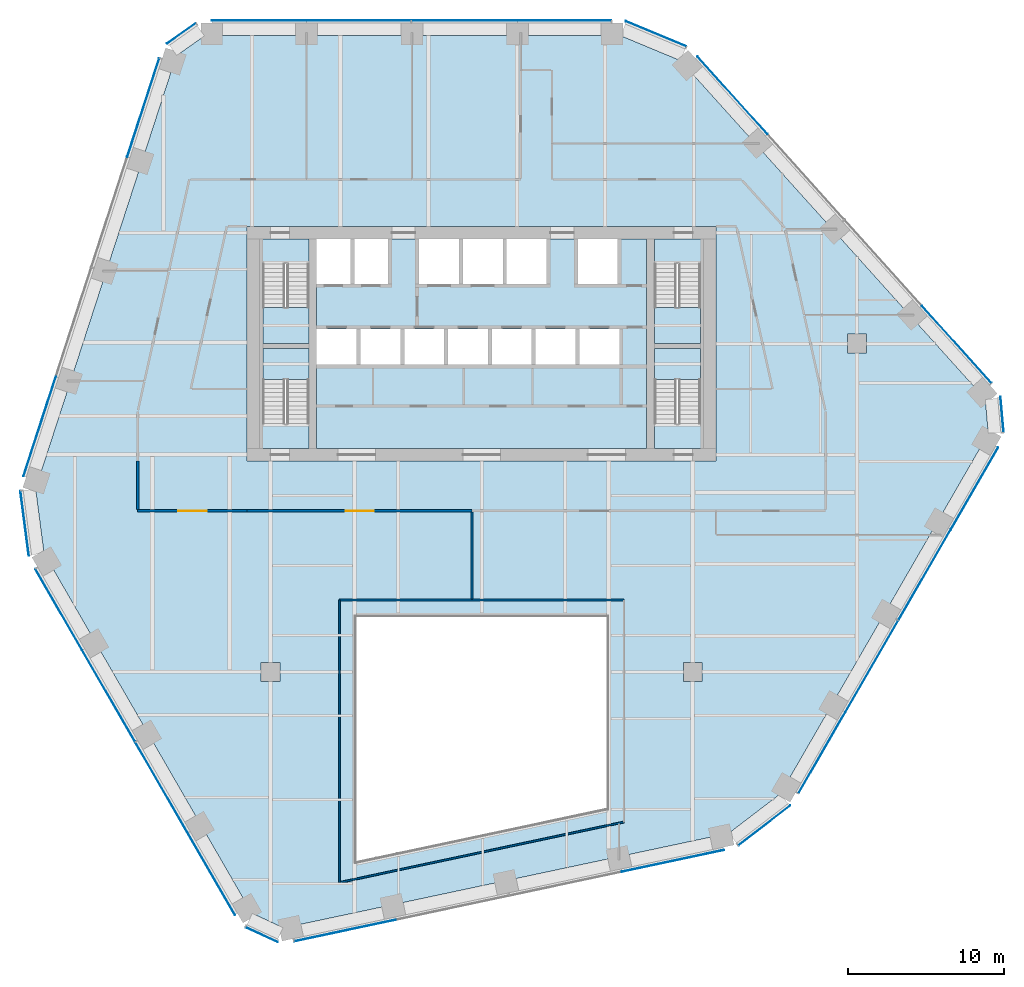
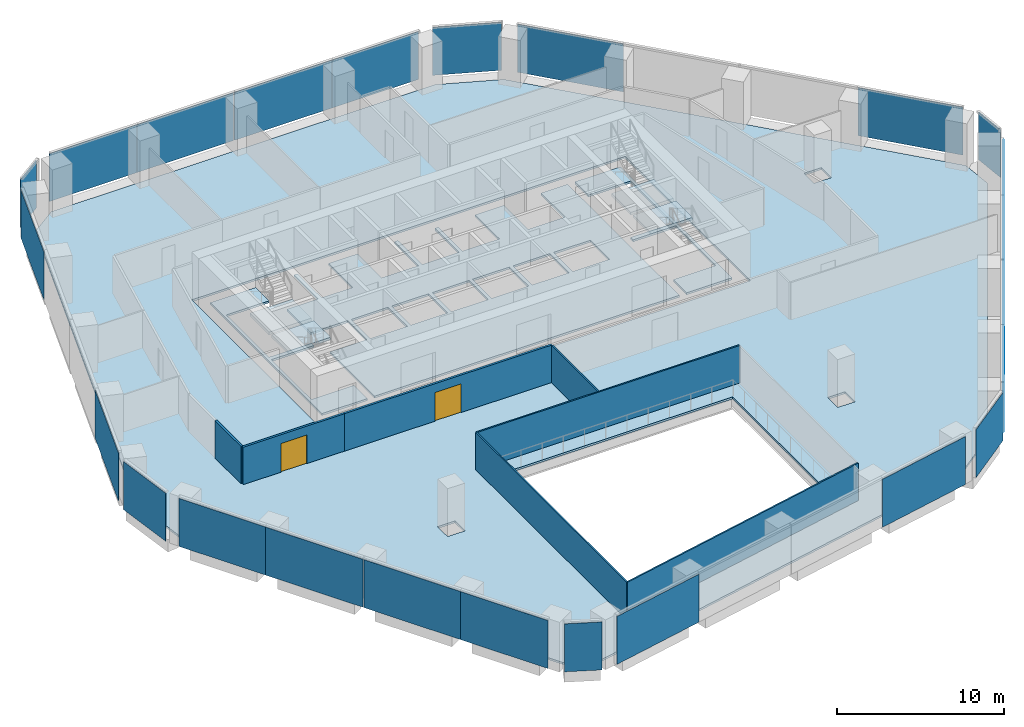
# One storey, part 10 of 16: 24 plates, 8 slabs, 7 walls, 2 doors, 2 openings, 16 elements without a shape of their own.
"""IFC4 building model written with IfcOpenShell, lengths in metres."""

from ifc_helpers import new_model, si_unit, direction, frame, frame_2d, origin, origin_2d, place, context, subcontext, project, spatial, polyline, rectangle, outline, extrude, material, layer, layer_set, type_object, element, fill, aggregate, save


model = new_model("IFC4")

# Units and contexts
model_context = context("Model", 3, precision=1e-05, world=origin(), true_north=direction((0.0, 1.0)))
body_context = subcontext(model_context, "Body", "Model", "MODEL_VIEW")
ifc_project = project(units=[si_unit("LENGTHUNIT", "METRE"), si_unit("AREAUNIT", "SQUARE_METRE"), si_unit("VOLUMEUNIT", "CUBIC_METRE"), si_unit("PLANEANGLEUNIT", "RADIAN"), si_unit("MASSUNIT", "GRAM", prefix="KILO")], contexts=[model_context])

# Site, building, storey
site_placement = place(None, origin())
site = spatial("IfcSite", under=ifc_project, at=site_placement, CompositionType="ELEMENT")
building_placement = place(site_placement, origin())
building = spatial("IfcBuilding", under=site, at=building_placement, Name="Isthmus Gate Tower", CompositionType="ELEMENT")
storey_placement = place(building_placement, frame((0.0, 0.0, 140.75)))
storey = spatial("IfcBuildingStorey", under=building, at=storey_placement, Name="L34", CompositionType="ELEMENT", Elevation=140.75)

# Slabs
ifc_material_1 = material(Name="Concrete f'c 40 MPa", Category="concrete")
ifc_layer_1 = layer(ifc_material_1, 0.14990234375)
ifc_layer_set_1 = layer_set([ifc_layer_1], Name="COMPOSITE FLOOR SLAB 150")
slab_type_1 = type_object("IfcSlabType", Name="COMPOSITE FLOOR SLAB 150", PredefinedType="FLOOR", material=ifc_layer_set_1)
slab_1_placement = place(storey_placement, frame((0.0, 0.0, -0.14990234375)))
element("IfcSlab", 1, at=slab_1_placement, inside=storey, type_object=slab_type_1, Name="str-slab-L34-1", PredefinedType="FLOOR", context=body_context, shape_type="SweptSolid", body=[
    extrude(outline(polyline([(12.72802734375, 25.599365234375), (32.21044921875, 3.9619140625), (32.410400390625, 1.736083984375), (19.116455078125, -21.289306640625), (15.8056640625, -23.822509765625), (-12.674072265625, -29.876220703125), (-14.701416015625, -28.936279296875), (-27.995361328125, -5.91064453125), (-28.53369140625, -1.77685546875), (-19.536376953125, 25.9140625), (-17.708740234375, 27.199951171875), (8.87890625, 27.199951171875), (12.72802734375, 25.599365234375)]), holes=[polyline([(-8.0, -10.0), (-8.0, -25.611083984375), (8.0, -22.210205078125), (8.0, -10.0), (-8.0, -10.0)]), polyline([(-14.10009765625, -12.89990234375), (-14.10009765625, -14.10009765625), (-12.89990234375, -14.10009765625), (-12.89990234375, -12.89990234375), (-14.10009765625, -12.89990234375)]), polyline([(14.10009765625, -12.89990234375), (12.89990234375, -12.89990234375), (12.89990234375, -14.10009765625), (14.10009765625, -14.10009765625), (14.10009765625, -12.89990234375)]), polyline([(-15.0, 15.0), (-15.0, 0.0), (15.0, 0.0), (15.0, 15.0), (-15.0, 15.0)]), polyline([(24.60009765625, 6.89990234375), (24.60009765625, 8.10009765625), (23.39990234375, 8.10009765625), (23.39990234375, 6.89990234375), (24.60009765625, 6.89990234375)])]), origin(), (0.0, 0.0, 1.0), 0.14990234375),
])
ifc_material_2 = material(Name="Concrete f'c 40 MPa", Category="concrete")
ifc_layer_2 = layer(ifc_material_2, 0.14990234375)
ifc_layer_set_2 = layer_set([ifc_layer_2], Name="CORE FLOOR SLAB 150")
slab_type_2 = type_object("IfcSlabType", Name="CORE FLOOR SLAB 150", PredefinedType="FLOOR", material=ifc_layer_set_2)
slab_2_placement = place(storey_placement, frame((0.0, 0.0, -0.14990234375)))
element("IfcSlab", 2, at=slab_2_placement, inside=storey, type_object=slab_type_2, Name="L34 core floor", PredefinedType="FLOOR", context=body_context, shape_type="SweptSolid", body=[
    extrude(outline(polyline([(-11.050048828125, 0.800048828125), (-11.050048828125, 2.402099609375), (-14.0, 2.402099609375), (-14.0, 7.199951171875), (-11.050048828125, 7.199951171875), (-11.050048828125, 7.5), (-14.0, 7.5), (-14.0, 12.597900390625), (-11.050048828125, 12.597900390625), (-11.050048828125, 14.199951171875), (-14.199951171875, 14.199951171875), (-14.199951171875, 0.800048828125), (-11.050048828125, 0.800048828125)])), origin(), (0.0, 0.0, 1.0), 0.14990234375),
])
slab_3_placement = place(storey_placement, frame((0.0, 0.0, -0.14990234375)))
element("IfcSlab", 3, at=slab_3_placement, inside=storey, type_object=slab_type_2, Name="L34 core floor", PredefinedType="FLOOR", context=body_context, shape_type="SweptSolid", body=[
    extrude(outline(polyline([(10.550048828125, 14.199951171875), (8.699951171875, 14.199951171875), (8.699951171875, 11.300048828125), (6.14990234375, 11.300048828125), (6.14990234375, 14.199951171875), (4.14990234375, 14.199951171875), (4.14990234375, 11.300048828125), (1.60009765625, 11.300048828125), (1.60009765625, 14.199951171875), (1.35009765625, 14.199951171875), (1.35009765625, 11.300048828125), (-1.199951171875, 11.300048828125), (-1.199951171875, 14.199951171875), (-1.449951171875, 14.199951171875), (-1.449951171875, 11.300048828125), (-4.0, 11.300048828125), (-4.0, 14.199951171875), (-6.0, 14.199951171875), (-6.0, 11.300048828125), (-8.14990234375, 11.300048828125), (-8.14990234375, 14.199951171875), (-8.39990234375, 14.199951171875), (-8.39990234375, 11.300048828125), (-10.550048828125, 11.300048828125), (-10.550048828125, 8.449951171875), (-8.0, 8.449951171875), (-8.0, 6.14990234375), (-10.550048828125, 6.14990234375), (-10.550048828125, 0.800048828125), (10.550048828125, 0.800048828125), (10.550048828125, 14.199951171875)]), holes=[polyline([(-5.199951171875, 8.449951171875), (-5.199951171875, 6.14990234375), (-7.75, 6.14990234375), (-7.75, 8.449951171875), (-5.199951171875, 8.449951171875)]), polyline([(-2.39990234375, 8.449951171875), (-2.39990234375, 6.14990234375), (-4.949951171875, 6.14990234375), (-4.949951171875, 8.449951171875), (-2.39990234375, 8.449951171875)]), polyline([(0.39990234375, 8.449951171875), (0.39990234375, 6.14990234375), (-2.14990234375, 6.14990234375), (-2.14990234375, 8.449951171875), (0.39990234375, 8.449951171875)]), polyline([(3.199951171875, 8.449951171875), (3.199951171875, 6.14990234375), (0.64990234375, 6.14990234375), (0.64990234375, 8.449951171875), (3.199951171875, 8.449951171875)]), polyline([(6.0, 8.449951171875), (6.0, 6.14990234375), (3.449951171875, 6.14990234375), (3.449951171875, 8.449951171875), (6.0, 8.449951171875)]), polyline([(8.800048828125, 8.449951171875), (8.800048828125, 6.14990234375), (6.25, 6.14990234375), (6.25, 8.449951171875), (8.800048828125, 8.449951171875)])]), origin(), (0.0, 0.0, 1.0), 0.14990234375),
])
slab_4_placement = place(storey_placement, frame((0.0, 0.0, -0.14990234375)))
element("IfcSlab", 4, at=slab_4_placement, inside=storey, type_object=slab_type_2, Name="L34 core floor", PredefinedType="FLOOR", context=body_context, shape_type="SweptSolid", body=[
    extrude(outline(polyline([(11.050048828125, 14.199951171875), (11.050048828125, 12.597900390625), (14.0, 12.597900390625), (14.0, 7.5), (11.050048828125, 7.5), (11.050048828125, 7.199951171875), (14.0, 7.199951171875), (14.0, 2.402099609375), (11.050048828125, 2.402099609375), (11.050048828125, 0.800048828125), (14.199951171875, 0.800048828125), (14.199951171875, 14.199951171875), (11.050048828125, 14.199951171875)])), origin(), (0.0, 0.0, 1.0), 0.14990234375),
])

# Curtain wall, plates
ifc_material_3 = material(Name="Aluminium, pale champagne anodised", Category="aluminium")
ifc_layer_3 = layer(ifc_material_3, 0.199951171875)
ifc_layer_set_3 = layer_set([ifc_layer_3], Name="CW-1 UNITISED CURTAIN WALL 200 DEEP")
curtain_wall_type = type_object("IfcCurtainWallType", Name="CW-1 UNITISED CURTAIN WALL 200 DEEP", PredefinedType="NOTDEFINED", material=ifc_layer_set_3)
curtain_wall_1_placement = place(storey_placement, origin())
curtain_wall_1 = element("IfcCurtainWall", 5, at=curtain_wall_1_placement, inside=storey, type_object=curtain_wall_type, Name="CW-1 N L34", PredefinedType="NOTDEFINED")
ifc_material_4 = material(Name="Laminated low-iron glass, pale blue tint", Category="glass")
ifc_layer_4 = layer(ifc_material_4, 0.035888671875)
ifc_layer_set_4 = layer_set([ifc_layer_4], Name="CW-1 CLEAR GLASS LITE 36")
plate_type = type_object("IfcPlateType", Name="CW-1 CLEAR GLASS LITE 36", PredefinedType="CURTAIN_PANEL", material=ifc_layer_set_4)
plate_1_placement = place(storey_placement, frame((5.283447265625, 28.181884765625, 0.0), z_axis=(0.0, 0.0, 1.0), x_axis=(-1.0, 0.0, 0.0)))
plate_1 = element("IfcPlate", 6, at=plate_1_placement, type_object=plate_type, Name="CW-1 glass lite", PredefinedType="CURTAIN_PANEL", context=body_context, shape_type="SweptSolid", body=[
    extrude(rectangle(XDim=5.990234375, YDim=0.035888671875, at=origin_2d()), origin(), (0.0, 0.0, 1.0), 3.510009765625),
])
plate_2_placement = place(storey_placement, frame((-1.086669921875, 28.181884765625, 0.0), z_axis=(0.0, 0.0, 1.0), x_axis=(-1.0, 0.0, 0.0)))
plate_2 = element("IfcPlate", 7, at=plate_2_placement, type_object=plate_type, Name="CW-1 glass lite", PredefinedType="CURTAIN_PANEL", context=body_context, shape_type="SweptSolid", body=[
    extrude(rectangle(XDim=6.750244140625, YDim=0.035888671875, at=origin_2d()), origin(), (0.0, 0.0, 1.0), 3.510009765625),
])
plate_3_placement = place(storey_placement, frame((-7.86669921875, 28.181884765625, 0.0), z_axis=(0.0, 0.0, 1.0), x_axis=(-1.0, 0.0, 0.0)))
plate_3 = element("IfcPlate", 8, at=plate_3_placement, type_object=plate_type, Name="CW-1 glass lite", PredefinedType="CURTAIN_PANEL", context=body_context, shape_type="SweptSolid", body=[
    extrude(rectangle(XDim=6.690185546875, YDim=0.035888671875, at=origin_2d()), origin(), (0.0, 0.0, 1.0), 3.510009765625),
])
plate_4_placement = place(storey_placement, frame((-14.23681640625, 28.181884765625, 0.0), z_axis=(0.0, 0.0, 1.0), x_axis=(-1.0, 0.0, 0.0)))
plate_4 = element("IfcPlate", 9, at=plate_4_placement, type_object=plate_type, Name="CW-1 glass lite", PredefinedType="CURTAIN_PANEL", context=body_context, shape_type="SweptSolid", body=[
    extrude(rectangle(XDim=6.050048828125, YDim=0.035888671875, at=origin_2d()), origin(), (0.0, 0.0, 1.0), 3.510009765625),
])
aggregate(curtain_wall_1, [plate_1, plate_2, plate_3, plate_4])

# Curtain wall, plate
curtain_wall_2_placement = place(storey_placement, origin())
curtain_wall_2 = element("IfcCurtainWall", 10, at=curtain_wall_2_placement, inside=storey, type_object=curtain_wall_type, Name="CW-1 N-NW L34", PredefinedType="NOTDEFINED")
plate_5_placement = place(storey_placement, frame((-19.2119140625, 27.343017578125, 0.0), z_axis=(0.0, 0.0, 1.0), x_axis=(-0.81785959165, -0.57541783805, 0.0)))
plate_5 = element("IfcPlate", 11, at=plate_5_placement, type_object=plate_type, Name="CW-1 glass lite", PredefinedType="CURTAIN_PANEL", context=body_context, shape_type="SweptSolid", body=[
    extrude(rectangle(XDim=2.258544921875, YDim=0.035888671875, at=origin_2d()), origin(), (0.0, 0.0, 1.0), 3.510009765625),
])
aggregate(curtain_wall_2, [plate_5])

# Curtain wall, plates
curtain_wall_3_placement = place(storey_placement, origin())
curtain_wall_3 = element("IfcCurtainWall", 12, at=curtain_wall_3_placement, inside=storey, type_object=curtain_wall_type, Name="CW-1 NW L34", PredefinedType="NOTDEFINED")
plate_6_placement = place(storey_placement, frame((-21.647216796875, 22.59521484375, 0.0), z_axis=(0.0, 0.0, 1.0), x_axis=(-0.309016994375, -0.951056516295, 0.0)))
plate_6 = element("IfcPlate", 13, at=plate_6_placement, type_object=plate_type, Name="CW-1 glass lite", PredefinedType="CURTAIN_PANEL", context=body_context, shape_type="SweptSolid", body=[
    extrude(rectangle(XDim=6.630859375, YDim=0.035888671875, at=origin_2d()), origin(), (0.0, 0.0, 1.0), 3.510009765625),
])
plate_7_placement = place(storey_placement, frame((-28.2734375, 2.202392578125, 0.0), z_axis=(0.0, 0.0, 1.0), x_axis=(-0.309016994375, -0.951056516295, 0.0)))
plate_7 = element("IfcPlate", 14, at=plate_7_placement, type_object=plate_type, Name="CW-1 glass lite", PredefinedType="CURTAIN_PANEL", context=body_context, shape_type="SweptSolid", body=[
    extrude(rectangle(XDim=6.690673828125, YDim=0.035888671875, at=origin_2d()), origin(), (0.0, 0.0, 1.0), 3.510009765625),
])
aggregate(curtain_wall_3, [plate_6, plate_7])

# Curtain wall, plate
curtain_wall_4_placement = place(storey_placement, origin())
curtain_wall_4 = element("IfcCurtainWall", 15, at=curtain_wall_4_placement, inside=storey, type_object=curtain_wall_type, Name="CW-1 NW-SW L34", PredefinedType="NOTDEFINED")
plate_8_placement = place(storey_placement, frame((-29.234619140625, -3.9990234375, 0.0), z_axis=(0.0, 0.0, 1.0), x_axis=(0.129164534, -0.991623175988, 0.0)))
plate_8 = element("IfcPlate", 16, at=plate_8_placement, type_object=plate_type, Name="CW-1 glass lite", PredefinedType="CURTAIN_PANEL", context=body_context, shape_type="SweptSolid", body=[
    extrude(rectangle(XDim=4.181396484375, YDim=0.035888671875, at=origin_2d()), origin(), (0.0, 0.0, 1.0), 3.510009765625),
])
aggregate(curtain_wall_4, [plate_8])

# Curtain wall, plates
curtain_wall_5_placement = place(storey_placement, origin())
curtain_wall_5 = element("IfcCurtainWall", 17, at=curtain_wall_5_placement, inside=storey, type_object=curtain_wall_type, Name="CW-1 SW L34", PredefinedType="NOTDEFINED")
plate_9_placement = place(storey_placement, frame((-27.048095703125, -9.515380859375, 0.0), z_axis=(0.0, 0.0, 1.0), x_axis=(0.5, -0.866025403784, 0.0)))
plate_9 = element("IfcPlate", 18, at=plate_9_placement, type_object=plate_type, Name="CW-1 glass lite", PredefinedType="CURTAIN_PANEL", context=body_context, shape_type="SweptSolid", body=[
    extrude(rectangle(XDim=5.990234375, YDim=0.035888671875, at=origin_2d()), origin(), (0.0, 0.0, 1.0), 3.510009765625),
])
plate_10_placement = place(storey_placement, frame((-23.863037109375, -15.031982421875, 0.0), z_axis=(0.0, 0.0, 1.0), x_axis=(0.5, -0.866025403784, 0.0)))
plate_10 = element("IfcPlate", 19, at=plate_10_placement, type_object=plate_type, Name="CW-1 glass lite", PredefinedType="CURTAIN_PANEL", context=body_context, shape_type="SweptSolid", body=[
    extrude(rectangle(XDim=6.750244140625, YDim=0.035888671875, at=origin_2d()), origin(), (0.0, 0.0, 1.0), 3.510009765625),
])
plate_11_placement = place(storey_placement, frame((-20.472900390625, -20.90380859375, 0.0), z_axis=(0.0, 0.0, 1.0), x_axis=(0.5, -0.866025403784, 0.0)))
plate_11 = element("IfcPlate", 20, at=plate_11_placement, type_object=plate_type, Name="CW-1 glass lite", PredefinedType="CURTAIN_PANEL", context=body_context, shape_type="SweptSolid", body=[
    extrude(rectangle(XDim=6.690185546875, YDim=0.035888671875, at=origin_2d()), origin(), (0.0, 0.0, 1.0), 3.510009765625),
])
plate_12_placement = place(storey_placement, frame((-17.287841796875, -26.42041015625, 0.0), z_axis=(0.0, 0.0, 1.0), x_axis=(0.5, -0.866025403784, 0.0)))
plate_12 = element("IfcPlate", 21, at=plate_12_placement, type_object=plate_type, Name="CW-1 glass lite", PredefinedType="CURTAIN_PANEL", context=body_context, shape_type="SweptSolid", body=[
    extrude(rectangle(XDim=6.050048828125, YDim=0.035888671875, at=origin_2d()), origin(), (0.0, 0.0, 1.0), 3.510009765625),
])
aggregate(curtain_wall_5, [plate_9, plate_10, plate_11, plate_12])

# Curtain wall, plate
curtain_wall_6_placement = place(storey_placement, origin())
curtain_wall_6 = element("IfcCurtainWall", 22, at=curtain_wall_6_placement, inside=storey, type_object=curtain_wall_type, Name="CW-1 SW-S L34", PredefinedType="NOTDEFINED")
plate_13_placement = place(storey_placement, frame((-14.07373046875, -30.3095703125, 0.0), z_axis=(0.0, 0.0, 1.0), x_axis=(0.907256261367, -0.420578264073, 0.0)))
plate_13 = element("IfcPlate", 23, at=plate_13_placement, type_object=plate_type, Name="CW-1 glass lite", PredefinedType="CURTAIN_PANEL", context=body_context, shape_type="SweptSolid", body=[
    extrude(rectangle(XDim=2.258544921875, YDim=0.035888671875, at=origin_2d()), origin(), (0.0, 0.0, 1.0), 3.510009765625),
])
aggregate(curtain_wall_6, [plate_13])

# Curtain wall, plates
curtain_wall_7_placement = place(storey_placement, origin())
curtain_wall_7 = element("IfcCurtainWall", 24, at=curtain_wall_7_placement, inside=storey, type_object=curtain_wall_type, Name="CW-1 S L34", PredefinedType="NOTDEFINED")
plate_14_placement = place(storey_placement, frame((-8.744384765625, -30.044677734375, 0.0), z_axis=(0.0, 0.0, 1.0), x_axis=(0.978147600734, 0.207911690818, 0.0)))
plate_14 = element("IfcPlate", 25, at=plate_14_placement, type_object=plate_type, Name="CW-1 glass lite", PredefinedType="CURTAIN_PANEL", context=body_context, shape_type="SweptSolid", body=[
    extrude(rectangle(XDim=6.630859375, YDim=0.035888671875, at=origin_2d()), origin(), (0.0, 0.0, 1.0), 3.510009765625),
])
plate_15_placement = place(storey_placement, frame((12.2294921875, -25.586669921875, 0.0), z_axis=(0.0, 0.0, 1.0), x_axis=(0.978147600734, 0.207911690818, 0.0)))
plate_15 = element("IfcPlate", 26, at=plate_15_placement, type_object=plate_type, Name="CW-1 glass lite", PredefinedType="CURTAIN_PANEL", context=body_context, shape_type="SweptSolid", body=[
    extrude(rectangle(XDim=6.690673828125, YDim=0.035888671875, at=origin_2d()), origin(), (0.0, 0.0, 1.0), 3.510009765625),
])
aggregate(curtain_wall_7, [plate_14, plate_15])

# Curtain wall, plate
curtain_wall_8_placement = place(storey_placement, origin())
curtain_wall_8 = element("IfcCurtainWall", 27, at=curtain_wall_8_placement, inside=storey, type_object=curtain_wall_type, Name="CW-1 S-SE L34", PredefinedType="NOTDEFINED")
plate_16_placement = place(storey_placement, frame((18.08056640625, -23.318359375, 0.0), z_axis=(0.0, 0.0, 1.0), x_axis=(0.794188594387, 0.607671355706, 0.0)))
plate_16 = element("IfcPlate", 28, at=plate_16_placement, type_object=plate_type, Name="CW-1 glass lite", PredefinedType="CURTAIN_PANEL", context=body_context, shape_type="SweptSolid", body=[
    extrude(rectangle(XDim=4.181396484375, YDim=0.035888671875, at=origin_2d()), origin(), (0.0, 0.0, 1.0), 3.510009765625),
])
aggregate(curtain_wall_8, [plate_16])

# Curtain wall, plates
curtain_wall_9_placement = place(storey_placement, origin())
curtain_wall_9 = element("IfcCurtainWall", 29, at=curtain_wall_9_placement, inside=storey, type_object=curtain_wall_type, Name="CW-1 SE L34", PredefinedType="NOTDEFINED")
plate_17_placement = place(storey_placement, frame((21.7646484375, -18.666748046875, 0.0), z_axis=(0.0, 0.0, 1.0), x_axis=(0.5, 0.866025403784, 0.0)))
plate_17 = element("IfcPlate", 30, at=plate_17_placement, type_object=plate_type, Name="CW-1 glass lite", PredefinedType="CURTAIN_PANEL", context=body_context, shape_type="SweptSolid", body=[
    extrude(rectangle(XDim=5.990234375, YDim=0.035888671875, at=origin_2d()), origin(), (0.0, 0.0, 1.0), 3.510009765625),
])
plate_18_placement = place(storey_placement, frame((24.94970703125, -13.14990234375, 0.0), z_axis=(0.0, 0.0, 1.0), x_axis=(0.5, 0.866025403784, 0.0)))
plate_18 = element("IfcPlate", 31, at=plate_18_placement, type_object=plate_type, Name="CW-1 glass lite", PredefinedType="CURTAIN_PANEL", context=body_context, shape_type="SweptSolid", body=[
    extrude(rectangle(XDim=6.750244140625, YDim=0.035888671875, at=origin_2d()), origin(), (0.0, 0.0, 1.0), 3.510009765625),
])
plate_19_placement = place(storey_placement, frame((28.339599609375, -7.278076171875, 0.0), z_axis=(0.0, 0.0, 1.0), x_axis=(0.5, 0.866025403784, 0.0)))
plate_19 = element("IfcPlate", 32, at=plate_19_placement, type_object=plate_type, Name="CW-1 glass lite", PredefinedType="CURTAIN_PANEL", context=body_context, shape_type="SweptSolid", body=[
    extrude(rectangle(XDim=6.690185546875, YDim=0.035888671875, at=origin_2d()), origin(), (0.0, 0.0, 1.0), 3.510009765625),
])
plate_20_placement = place(storey_placement, frame((31.524658203125, -1.761474609375, 0.0), z_axis=(0.0, 0.0, 1.0), x_axis=(0.5, 0.866025403784, 0.0)))
plate_20 = element("IfcPlate", 33, at=plate_20_placement, type_object=plate_type, Name="CW-1 glass lite", PredefinedType="CURTAIN_PANEL", context=body_context, shape_type="SweptSolid", body=[
    extrude(rectangle(XDim=6.050048828125, YDim=0.035888671875, at=origin_2d()), origin(), (0.0, 0.0, 1.0), 3.510009765625),
])
aggregate(curtain_wall_9, [plate_17, plate_18, plate_19, plate_20])

# Curtain wall, plate
curtain_wall_10_placement = place(storey_placement, origin())
curtain_wall_10 = element("IfcCurtainWall", 34, at=curtain_wall_10_placement, inside=storey, type_object=curtain_wall_type, Name="CW-1 SE-NE L34", PredefinedType="NOTDEFINED")
plate_21_placement = place(storey_placement, frame((33.285888671875, 2.966552734375, 0.0), z_axis=(0.0, 0.0, 1.0), x_axis=(-0.089396669717, 0.995996102123, 0.0)))
plate_21 = element("IfcPlate", 35, at=plate_21_placement, type_object=plate_type, Name="CW-1 glass lite", PredefinedType="CURTAIN_PANEL", context=body_context, shape_type="SweptSolid", body=[
    extrude(rectangle(XDim=2.258544921875, YDim=0.035888671875, at=origin_2d()), origin(), (0.0, 0.0, 1.0), 3.510009765625),
])
aggregate(curtain_wall_10, [plate_21])

# Curtain wall, plates
curtain_wall_11_placement = place(storey_placement, origin())
curtain_wall_11 = element("IfcCurtainWall", 36, at=curtain_wall_11_placement, inside=storey, type_object=curtain_wall_type, Name="CW-1 NE L34", PredefinedType="NOTDEFINED")
plate_22_placement = place(storey_placement, frame((30.3916015625, 7.449462890625, 0.0), z_axis=(0.0, 0.0, 1.0), x_axis=(-0.669130606359, 0.743144825477, 0.0)))
plate_22 = element("IfcPlate", 37, at=plate_22_placement, type_object=plate_type, Name="CW-1 glass lite", PredefinedType="CURTAIN_PANEL", context=body_context, shape_type="SweptSolid", body=[
    extrude(rectangle(XDim=6.630859375, YDim=0.035888671875, at=origin_2d()), origin(), (0.0, 0.0, 1.0), 3.510009765625),
])
plate_23_placement = place(storey_placement, frame((16.0439453125, 23.38427734375, 0.0), z_axis=(0.0, 0.0, 1.0), x_axis=(-0.669130606359, 0.743144825477, 0.0)))
plate_23 = element("IfcPlate", 38, at=plate_23_placement, type_object=plate_type, Name="CW-1 glass lite", PredefinedType="CURTAIN_PANEL", context=body_context, shape_type="SweptSolid", body=[
    extrude(rectangle(XDim=6.690673828125, YDim=0.035888671875, at=origin_2d()), origin(), (0.0, 0.0, 1.0), 3.510009765625),
])
aggregate(curtain_wall_11, [plate_22, plate_23])

# Curtain wall, plate
curtain_wall_12_placement = place(storey_placement, origin())
curtain_wall_12 = element("IfcCurtainWall", 39, at=curtain_wall_12_placement, inside=storey, type_object=curtain_wall_type, Name="CW-1 NE-N L34", PredefinedType="NOTDEFINED")
plate_24_placement = place(storey_placement, frame((11.154052734375, 27.3173828125, 0.0), z_axis=(0.0, 0.0, 1.0), x_axis=(-0.923353128387, 0.383951820282, 0.0)))
plate_24 = element("IfcPlate", 40, at=plate_24_placement, type_object=plate_type, Name="CW-1 glass lite", PredefinedType="CURTAIN_PANEL", context=body_context, shape_type="SweptSolid", body=[
    extrude(rectangle(XDim=4.181396484375, YDim=0.035888671875, at=origin_2d()), origin(), (0.0, 0.0, 1.0), 3.510009765625),
])
aggregate(curtain_wall_12, [plate_24])

# Stair, slab
ifc_material_5 = material(Name="Concrete f'c 40 MPa", Category="concrete")
stair_type = type_object("IfcStairType", Name="CORE STAIR 22 RISERS", PredefinedType="HALF_TURN_STAIR", material=ifc_material_5)
stair_1_placement = place(storey_placement, origin())
stair_1 = element("IfcStair", 41, at=stair_1_placement, inside=storey, type_object=stair_type, Name="L34 Exit Stair 1", PredefinedType="HALF_TURN_STAIR")
ifc_material_6 = material(Name="Concrete f'c 40 MPa", Category="concrete")
ifc_layer_5 = layer(ifc_material_6, 0.199951171875)
ifc_layer_set_5 = layer_set([ifc_layer_5])
slab_type_3 = type_object("IfcSlabType", Name="STAIR LANDING RC 200", PredefinedType="LANDING", material=ifc_layer_set_5)
slab_5_placement = place(storey_placement, frame((0.0, 0.0, 1.625)))
slab_5 = element("IfcSlab", 42, at=slab_5_placement, type_object=slab_type_3, Name="ST1 landing 1", PredefinedType="LANDING", context=body_context, shape_type="SweptSolid", body=[
    extrude(outline(polyline([(-14.0, 9.800048828125), (-14.0, 7.5), (-11.050048828125, 7.5), (-11.050048828125, 9.800048828125), (-14.0, 9.800048828125)])), origin(), (0.0, 0.0, 1.0), 0.199951171875),
])
aggregate(stair_1, [slab_5])

stair_2_placement = place(storey_placement, origin())
stair_2 = element("IfcStair", 43, at=stair_2_placement, inside=storey, type_object=stair_type, Name="L34 Exit Stair 2", PredefinedType="HALF_TURN_STAIR")
slab_6_placement = place(storey_placement, frame((0.0, 0.0, 1.625)))
slab_6 = element("IfcSlab", 44, at=slab_6_placement, type_object=slab_type_3, Name="ST2 landing 1", PredefinedType="LANDING", context=body_context, shape_type="SweptSolid", body=[
    extrude(outline(polyline([(11.050048828125, 9.800048828125), (11.050048828125, 7.5), (14.0, 7.5), (14.0, 9.800048828125), (11.050048828125, 9.800048828125)])), origin(), (0.0, 0.0, 1.0), 0.199951171875),
])
aggregate(stair_2, [slab_6])

stair_3_placement = place(storey_placement, origin())
stair_3 = element("IfcStair", 45, at=stair_3_placement, inside=storey, type_object=stair_type, Name="L34 Exit Stair 7", PredefinedType="HALF_TURN_STAIR")
slab_7_placement = place(storey_placement, frame((0.0, 0.0, 1.625)))
slab_7 = element("IfcSlab", 46, at=slab_7_placement, type_object=slab_type_3, Name="ST7 landing 1", PredefinedType="LANDING", context=body_context, shape_type="SweptSolid", body=[
    extrude(outline(polyline([(-11.050048828125, 5.199951171875), (-11.050048828125, 7.199951171875), (-14.0, 7.199951171875), (-14.0, 5.199951171875), (-11.050048828125, 5.199951171875)])), origin(), (0.0, 0.0, 1.0), 0.199951171875),
])
aggregate(stair_3, [slab_7])

stair_4_placement = place(storey_placement, origin())
stair_4 = element("IfcStair", 47, at=stair_4_placement, inside=storey, type_object=stair_type, Name="L34 Exit Stair 8", PredefinedType="HALF_TURN_STAIR")
slab_8_placement = place(storey_placement, frame((0.0, 0.0, 1.625)))
slab_8 = element("IfcSlab", 48, at=slab_8_placement, type_object=slab_type_3, Name="ST8 landing 1", PredefinedType="LANDING", context=body_context, shape_type="SweptSolid", body=[
    extrude(outline(polyline([(14.0, 5.199951171875), (14.0, 7.199951171875), (11.050048828125, 7.199951171875), (11.050048828125, 5.199951171875), (14.0, 5.199951171875)])), origin(), (0.0, 0.0, 1.0), 0.199951171875),
])
aggregate(stair_4, [slab_8])

# Walls
ifc_material_7 = material(Name="Fire-rated laminated glass in steel frame", Category="steel")
ifc_layer_6 = layer(ifc_material_7, 0.10009765625)
ifc_layer_set_6 = layer_set([ifc_layer_6], Name="ATRIUM SCREEN GLAZED WALL 100 120 MIN")
wall_type_1 = type_object("IfcWallType", Name="ATRIUM SCREEN GLAZED WALL 100 120 MIN", PredefinedType="PARTITIONING", material=ifc_layer_set_6)
wall_1_placement = place(storey_placement, frame((-9.10009765625, -8.89990234375, 0.0), z_axis=(0.0, 0.0, 1.0), x_axis=(1.0, 0.0, 0.0)))
element("IfcWall", 49, at=wall_1_placement, inside=storey, type_object=wall_type_1, Name="L34 atrium screen", PredefinedType="PARTITIONING", context=body_context, shape_type="SweptSolid", body=[
    extrude(rectangle(XDim=18.2001953125, YDim=0.10009765625, at=frame_2d((9.10009765625, 0.0))), origin(), (0.0, 0.0, 1.0), 2.7412109375),
])
wall_2_placement = place(storey_placement, frame((9.10009765625, -23.100830078125, 0.0), z_axis=(0.0, 0.0, 1.0), x_axis=(-0.978146710971, -0.207915876778, 0.0)))
element("IfcWall", 50, at=wall_2_placement, inside=storey, type_object=wall_type_1, Name="L34 atrium screen", PredefinedType="PARTITIONING", context=body_context, shape_type="SweptSolid", body=[
    extrude(rectangle(XDim=18.60693359375, YDim=0.10009765625, at=frame_2d((9.303466796875, 0.0))), origin(), (0.0, 0.0, 1.0), 2.7412109375),
])
wall_3_placement = place(storey_placement, frame((-9.10009765625, -26.969482421875, 0.0), z_axis=(0.0, 0.0, 1.0), x_axis=(0.0, 1.0, 0.0)))
element("IfcWall", 51, at=wall_3_placement, inside=storey, type_object=wall_type_1, Name="L34 atrium screen", PredefinedType="PARTITIONING", context=body_context, shape_type="SweptSolid", body=[
    extrude(rectangle(XDim=18.069580078125, YDim=0.10009765625, at=frame_2d((9.03466796875, 0.0))), origin(), (0.0, 0.0, 1.0), 2.7412109375),
])

# Wall, opening, door
ifc_material_8 = material(Name="Gypsum board on steel studs, fire-rated", Category="steel")
ifc_layer_7 = layer(ifc_material_8, 0.14990234375)
ifc_layer_set_7 = layer_set([ifc_layer_7], Name="CORRIDOR WALL 150 60 MIN")
wall_type_2 = type_object("IfcWallType", Name="CORRIDOR WALL 150 60 MIN", PredefinedType="PARTITIONING", material=ifc_layer_set_7)
wall_4_placement = place(storey_placement, frame((-0.616943359375, -3.199951171875, 0.0), z_axis=(0.0, 0.0, 1.0), x_axis=(-1.0, 0.0, 0.0)))
wall_4 = element("IfcWall", 52, at=wall_4_placement, inside=storey, type_object=wall_type_2, Name="L34 Corridor Wall 150 60 Min", PredefinedType="PARTITIONING", context=body_context, shape_type="SweptSolid", body=[
    extrude(rectangle(XDim=14.383056640625, YDim=0.14990234375, at=frame_2d((7.19140625, 0.0))), origin(), (0.0, 0.0, 1.0), 2.7412109375),
])
opening_1_placement = place(wall_4_placement, frame((6.29150390625, 0.0, 0.0)))
opening_1 = element("IfcOpeningElement", 53, at=opening_1_placement, cuts=wall_4, Name="Opening DT-T3B-11", PredefinedType="OPENING", context=body_context, shape_type="SweptSolid", body=[
    extrude(rectangle(XDim=1.800048828125, YDim=2.10009765625, at=frame_2d((0.89990234375, 1.050048828125))), frame((0.0, 0.0849609375, 0.0), z_axis=(0.0, -1.0, 0.0), x_axis=(1.0, 0.0, 0.0)), (0.0, 0.0, 1.0), 0.169921875),
])
ifc_material_9 = material(Name="Solid core timber door leaf, fire-rated", Category="wood")
door_type = type_object("IfcDoorType", Name="FIRE DOOR ROOM 1800 X 2100 60 MIN", OperationType="DOUBLE_DOOR_DOUBLE_SWING", PredefinedType="DOOR", material=ifc_material_9)
door_1_placement = place(opening_1_placement, origin())
door_1 = element("IfcDoor", 54, at=door_1_placement, inside=storey, type_object=door_type, Name="L34 room door", OperationType="DOUBLE_DOOR_DOUBLE_SWING", OverallHeight=2.10009765625, OverallWidth=1.800048828125, PredefinedType="DOOR", context=body_context, shape_type="SweptSolid", body=[
    extrude(rectangle(XDim=1.800048828125, YDim=2.10009765625, at=frame_2d((0.89990234375, 1.050048828125))), frame((0.0, 0.02490234375, 0.0), z_axis=(0.0, -1.0, 0.0), x_axis=(1.0, 0.0, 0.0)), (0.0, 0.0, 1.0), 0.050048828125),
])
fill(opening_1, door_1)

wall_5_placement = place(storey_placement, frame((-15.0, -3.199951171875, 0.0), z_axis=(0.0, 0.0, 1.0), x_axis=(-1.0, 0.0, 0.0)))
wall_5 = element("IfcWall", 55, at=wall_5_placement, inside=storey, type_object=wall_type_2, Name="L34 Corridor Wall 150 60 Min", PredefinedType="PARTITIONING", context=body_context, shape_type="SweptSolid", body=[
    extrude(rectangle(XDim=7.0, YDim=0.14990234375, at=frame_2d((3.5, 0.0))), origin(), (0.0, 0.0, 1.0), 2.7412109375),
])
opening_2_placement = place(wall_5_placement, frame((2.60009765625, 0.0, 0.0)))
opening_2 = element("IfcOpeningElement", 56, at=opening_2_placement, cuts=wall_5, Name="Opening DT-T3B-12", PredefinedType="OPENING", context=body_context, shape_type="SweptSolid", body=[
    extrude(rectangle(XDim=1.800048828125, YDim=2.10009765625, at=frame_2d((0.89990234375, 1.050048828125))), frame((0.0, 0.0849609375, 0.0), z_axis=(0.0, -1.0, 0.0), x_axis=(1.0, 0.0, 0.0)), (0.0, 0.0, 1.0), 0.169921875),
])
door_2_placement = place(opening_2_placement, origin())
door_2 = element("IfcDoor", 57, at=door_2_placement, inside=storey, type_object=door_type, Name="L34 room door", OperationType="DOUBLE_DOOR_DOUBLE_SWING", OverallHeight=2.10009765625, OverallWidth=1.800048828125, PredefinedType="DOOR", context=body_context, shape_type="SweptSolid", body=[
    extrude(rectangle(XDim=1.800048828125, YDim=2.10009765625, at=frame_2d((0.89990234375, 1.050048828125))), frame((0.0, 0.02490234375, 0.0), z_axis=(0.0, -1.0, 0.0), x_axis=(1.0, 0.0, 0.0)), (0.0, 0.0, 1.0), 0.050048828125),
])
fill(opening_2, door_2)

# Walls
wall_6_placement = place(storey_placement, frame((-22.0, -3.125, 0.0), z_axis=(0.0, 0.0, 1.0), x_axis=(0.0, 1.0, 0.0)))
element("IfcWall", 58, at=wall_6_placement, inside=storey, type_object=wall_type_2, Name="L34 Corridor Wall 150 60 Min", PredefinedType="PARTITIONING", context=body_context, shape_type="SweptSolid", body=[
    extrude(rectangle(XDim=3.125, YDim=0.14990234375, at=frame_2d((1.5625, 0.0))), origin(), (0.0, 0.0, 1.0), 2.7412109375),
])
ifc_material_10 = material(Name="Gypsum board on steel studs, fire-rated", Category="steel")
ifc_layer_8 = layer(ifc_material_10, 0.10009765625)
ifc_layer_set_8 = layer_set([ifc_layer_8], Name="ROOM PARTITION 100 30 MIN")
wall_type_3 = type_object("IfcWallType", Name="ROOM PARTITION 100 30 MIN", PredefinedType="PARTITIONING", material=ifc_layer_set_8)
wall_7_placement = place(storey_placement, frame((-0.616943359375, -8.85009765625, 0.0), z_axis=(0.0, 0.0, 1.0), x_axis=(0.0, 1.0, 0.0)))
element("IfcWall", 59, at=wall_7_placement, inside=storey, type_object=wall_type_3, Name="L34 Room Partition 100 30 Min", PredefinedType="PARTITIONING", context=body_context, shape_type="SweptSolid", body=[
    extrude(rectangle(XDim=5.5751953125, YDim=0.10009765625, at=frame_2d((2.78759765625, 0.0))), origin(), (0.0, 0.0, 1.0), 2.7412109375),
])

save(model, "model.ifc")
